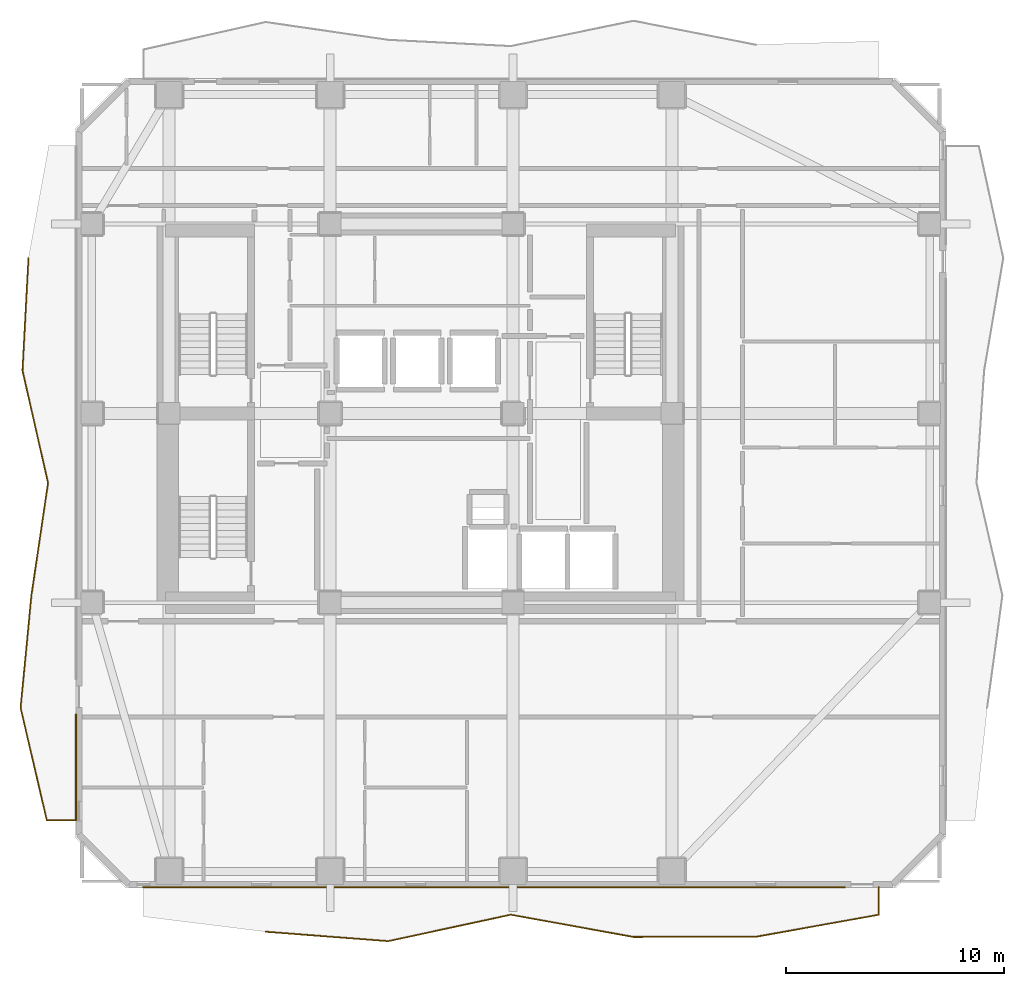
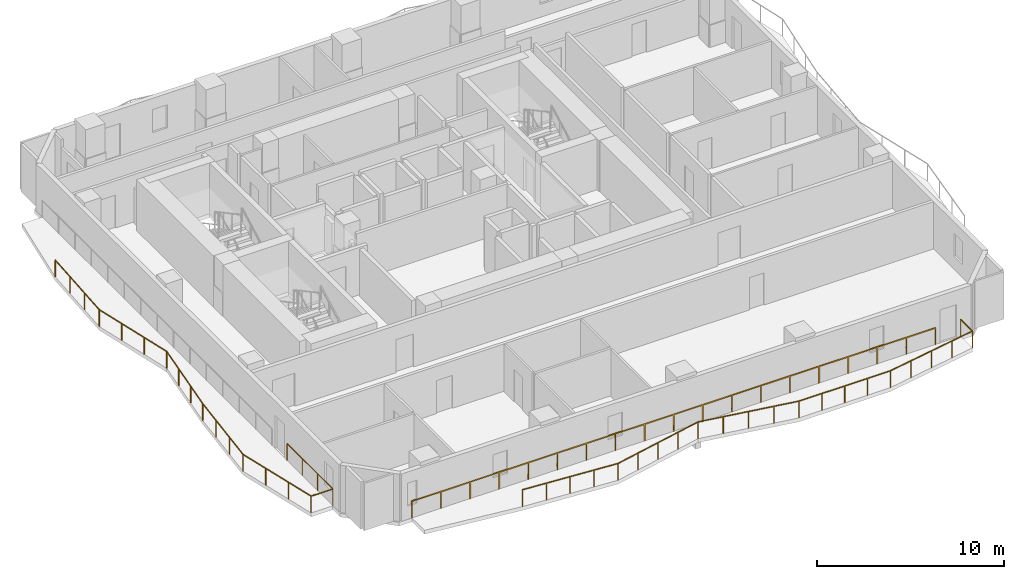
# One storey, part 7 of 9: 3 railings.
"""IFC4 building model written with IfcOpenShell, lengths in metres."""

from ifc_helpers import new_model, si_unit, direction, frame, origin, origin_2d, place, context, subcontext, project, spatial, rectangle, extrude, material, type_object, element, save


model = new_model("IFC4")

# Units and contexts
model_context = context("Model", 3, precision=1e-05, world=origin(), true_north=direction((0.0, 1.0)))
body_context = subcontext(model_context, "Body", "Model", "MODEL_VIEW")
ifc_project = project(units=[si_unit("LENGTHUNIT", "METRE"), si_unit("AREAUNIT", "SQUARE_METRE"), si_unit("VOLUMEUNIT", "CUBIC_METRE"), si_unit("PLANEANGLEUNIT", "RADIAN"), si_unit("MASSUNIT", "GRAM", prefix="KILO")], contexts=[model_context])

# Site, building, storey
site_placement = place(None, origin())
site = spatial("IfcSite", under=ifc_project, at=site_placement, CompositionType="ELEMENT")
building_placement = place(site_placement, origin())
building = spatial("IfcBuilding", under=site, at=building_placement, Name="Solanera Arch Residences", CompositionType="ELEMENT")
storey_placement = place(building_placement, frame((0.0, 0.0, 139.280029296875)))
storey = spatial("IfcBuildingStorey", under=building, at=storey_placement, Name="L40", CompositionType="ELEMENT", Elevation=139.280029296875)

# Railings
ifc_material = material(Name="Steel S355 (ASTM A992 / A572 Grade 50)", Category="steel")
railing_type = type_object("IfcRailingType", Name="Balustrade Railing BL-1100", PredefinedType="BALUSTRADE", material=ifc_material)
railing_1_placement = place(storey_placement, frame((17.8330078125, 6.876953125, 0.0)))
element("IfcRailing", 1, at=railing_1_placement, inside=storey, type_object=railing_type, Name="L40 S Balcony Balustrade 1", PredefinedType="BALUSTRADE", context=body_context, shape_type="SweptSolid", body=[
    extrude(rectangle(XDim=0.048095703125, YDim=0.048095703125, at=origin_2d()), frame((0.0, 0.0, 1.09619140625), z_axis=(0.997074782903, -0.076432174501, 0.0), x_axis=(0.076432174501, 0.997074782903, 0.0)), (0.0, 0.0, 1.0), 5.650634765625),
    extrude(rectangle(XDim=0.048095703125, YDim=0.048095703125, at=origin_2d()), frame((5.634033203125, -0.431884765625, 1.09619140625), z_axis=(0.977525666512, 0.210816439846, 0.0), x_axis=(-0.210816439846, 0.977525666512, 0.0)), (0.0, 0.0, 1.0), 5.762451171875),
    extrude(rectangle(XDim=0.048095703125, YDim=0.048095703125, at=origin_2d()), frame((11.26708984375, 0.782958984375, 1.09619140625), z_axis=(0.983936710844, -0.178517643533, 0.0), x_axis=(0.178517643533, 0.983936710844, 0.0)), (0.0, 0.0, 1.0), 5.724853515625),
    extrude(rectangle(XDim=0.048095703125, YDim=0.048095703125, at=origin_2d()), frame((16.89990234375, -0.239013671875, 1.09619140625), z_axis=(0.999998977558, 0.001429993771, 0.0), x_axis=(-0.001429993771, 0.999998977558, 0.0)), (0.0, 0.0, 1.0), 5.634033203125),
    extrude(rectangle(XDim=0.048095703125, YDim=0.048095703125, at=origin_2d()), frame((22.533935546875, -0.23095703125, 1.09619140625), z_axis=(0.984243807217, 0.17681665067, 0.0), x_axis=(-0.17681665067, 0.984243807217, 0.0)), (0.0, 0.0, 1.0), 5.72314453125),
    extrude(rectangle(XDim=0.048095703125, YDim=0.048095703125, at=origin_2d()), frame((28.1669921875, 0.781005859375, 1.09619140625), z_axis=(0.0, 1.0, 0.0), x_axis=(-1.0, 0.0, 0.0)), (0.0, 0.0, 1.0), 1.261962890625),
    extrude(rectangle(XDim=0.0419921875, YDim=0.0419921875, at=origin_2d()), origin(), (0.0, 0.0, 1.0), 1.072021484375),
    extrude(rectangle(XDim=0.0419921875, YDim=0.0419921875, at=origin_2d()), frame((1.408447265625, -0.10791015625, 0.0)), (0.0, 0.0, 1.0), 1.072021484375),
    extrude(rectangle(XDim=0.0419921875, YDim=0.0419921875, at=origin_2d()), frame((2.81689453125, -0.2158203125, 0.0)), (0.0, 0.0, 1.0), 1.072021484375),
    extrude(rectangle(XDim=0.0419921875, YDim=0.0419921875, at=origin_2d()), frame((4.2255859375, -0.323974609375, 0.0)), (0.0, 0.0, 1.0), 1.072021484375),
    extrude(rectangle(XDim=0.0419921875, YDim=0.0419921875, at=origin_2d()), frame((5.634033203125, -0.431884765625, 0.0)), (0.0, 0.0, 1.0), 1.072021484375),
    extrude(rectangle(XDim=0.0419921875, YDim=0.0419921875, at=origin_2d()), frame((7.042236328125, -0.128173828125, 0.0)), (0.0, 0.0, 1.0), 1.072021484375),
    extrude(rectangle(XDim=0.0419921875, YDim=0.0419921875, at=origin_2d()), frame((8.45068359375, 0.175537109375, 0.0)), (0.0, 0.0, 1.0), 1.072021484375),
    extrude(rectangle(XDim=0.0419921875, YDim=0.0419921875, at=origin_2d()), frame((9.85888671875, 0.479248046875, 0.0)), (0.0, 0.0, 1.0), 1.072021484375),
    extrude(rectangle(XDim=0.0419921875, YDim=0.0419921875, at=origin_2d()), frame((11.26708984375, 0.782958984375, 0.0)), (0.0, 0.0, 1.0), 1.072021484375),
    extrude(rectangle(XDim=0.0419921875, YDim=0.0419921875, at=origin_2d()), frame((12.67529296875, 0.52734375, 0.0)), (0.0, 0.0, 1.0), 1.072021484375),
    extrude(rectangle(XDim=0.0419921875, YDim=0.0419921875, at=origin_2d()), frame((14.08349609375, 0.27197265625, 0.0)), (0.0, 0.0, 1.0), 1.072021484375),
    extrude(rectangle(XDim=0.0419921875, YDim=0.0419921875, at=origin_2d()), frame((15.49169921875, 0.0166015625, 0.0)), (0.0, 0.0, 1.0), 1.072021484375),
    extrude(rectangle(XDim=0.0419921875, YDim=0.0419921875, at=origin_2d()), frame((16.89990234375, -0.239013671875, 0.0)), (0.0, 0.0, 1.0), 1.072021484375),
    extrude(rectangle(XDim=0.0419921875, YDim=0.0419921875, at=origin_2d()), frame((18.308349609375, -0.237060546875, 0.0)), (0.0, 0.0, 1.0), 1.072021484375),
    extrude(rectangle(XDim=0.0419921875, YDim=0.0419921875, at=origin_2d()), frame((19.716796875, -0.23486328125, 0.0)), (0.0, 0.0, 1.0), 1.072021484375),
    extrude(rectangle(XDim=0.0419921875, YDim=0.0419921875, at=origin_2d()), frame((21.12548828125, -0.23291015625, 0.0)), (0.0, 0.0, 1.0), 1.072021484375),
    extrude(rectangle(XDim=0.0419921875, YDim=0.0419921875, at=origin_2d()), frame((22.533935546875, -0.23095703125, 0.0)), (0.0, 0.0, 1.0), 1.072021484375),
    extrude(rectangle(XDim=0.0419921875, YDim=0.0419921875, at=origin_2d()), frame((23.942138671875, 0.02197265625, 0.0)), (0.0, 0.0, 1.0), 1.072021484375),
    extrude(rectangle(XDim=0.0419921875, YDim=0.0419921875, at=origin_2d()), frame((25.3505859375, 0.27490234375, 0.0)), (0.0, 0.0, 1.0), 1.072021484375),
    extrude(rectangle(XDim=0.0419921875, YDim=0.0419921875, at=origin_2d()), frame((26.7587890625, 0.528076171875, 0.0)), (0.0, 0.0, 1.0), 1.072021484375),
    extrude(rectangle(XDim=0.0419921875, YDim=0.0419921875, at=origin_2d()), frame((28.1669921875, 0.781005859375, 0.0)), (0.0, 0.0, 1.0), 1.072021484375),
    extrude(rectangle(XDim=0.0419921875, YDim=0.0419921875, at=origin_2d()), frame((28.1669921875, 2.04296875, 0.0)), (0.0, 0.0, 1.0), 1.072021484375),
])
railing_2_placement = place(storey_placement, frame((44.44091796875, 8.919921875, 0.0)))
element("IfcRailing", 2, at=railing_2_placement, inside=storey, type_object=railing_type, Name="L40 S Balcony Balustrade 2", PredefinedType="BALUSTRADE", context=body_context, shape_type="SweptSolid", body=[
    extrude(rectangle(XDim=0.048095703125, YDim=0.048095703125, at=origin_2d()), frame((0.0, 0.0, 1.09619140625), z_axis=(-1.0, 0.0, 0.0), x_axis=(0.0, -1.0, 0.0)), (0.0, 0.0, 1.0), 32.240966796875),
    extrude(rectangle(XDim=0.0419921875, YDim=0.0419921875, at=origin_2d()), origin(), (0.0, 0.0, 1.0), 1.072021484375),
    extrude(rectangle(XDim=0.0419921875, YDim=0.0419921875, at=origin_2d()), frame((-1.791259765625, 0.0, 0.0)), (0.0, 0.0, 1.0), 1.072021484375),
    extrude(rectangle(XDim=0.0419921875, YDim=0.0419921875, at=origin_2d()), frame((-3.582275390625, 0.0, 0.0)), (0.0, 0.0, 1.0), 1.072021484375),
    extrude(rectangle(XDim=0.0419921875, YDim=0.0419921875, at=origin_2d()), frame((-5.37353515625, 0.0, 0.0)), (0.0, 0.0, 1.0), 1.072021484375),
    extrude(rectangle(XDim=0.0419921875, YDim=0.0419921875, at=origin_2d()), frame((-7.16455078125, 0.0, 0.0)), (0.0, 0.0, 1.0), 1.072021484375),
    extrude(rectangle(XDim=0.0419921875, YDim=0.0419921875, at=origin_2d()), frame((-8.955810546875, 0.0, 0.0)), (0.0, 0.0, 1.0), 1.072021484375),
    extrude(rectangle(XDim=0.0419921875, YDim=0.0419921875, at=origin_2d()), frame((-10.7470703125, 0.0, 0.0)), (0.0, 0.0, 1.0), 1.072021484375),
    extrude(rectangle(XDim=0.0419921875, YDim=0.0419921875, at=origin_2d()), frame((-12.5380859375, 0.0, 0.0)), (0.0, 0.0, 1.0), 1.072021484375),
    extrude(rectangle(XDim=0.0419921875, YDim=0.0419921875, at=origin_2d()), frame((-14.329345703125, 0.0, 0.0)), (0.0, 0.0, 1.0), 1.072021484375),
    extrude(rectangle(XDim=0.0419921875, YDim=0.0419921875, at=origin_2d()), frame((-16.12060546875, 0.0, 0.0)), (0.0, 0.0, 1.0), 1.072021484375),
    extrude(rectangle(XDim=0.0419921875, YDim=0.0419921875, at=origin_2d()), frame((-17.91162109375, 0.0, 0.0)), (0.0, 0.0, 1.0), 1.072021484375),
    extrude(rectangle(XDim=0.0419921875, YDim=0.0419921875, at=origin_2d()), frame((-19.702880859375, 0.0, 0.0)), (0.0, 0.0, 1.0), 1.072021484375),
    extrude(rectangle(XDim=0.0419921875, YDim=0.0419921875, at=origin_2d()), frame((-21.493896484375, 0.0, 0.0)), (0.0, 0.0, 1.0), 1.072021484375),
    extrude(rectangle(XDim=0.0419921875, YDim=0.0419921875, at=origin_2d()), frame((-23.28515625, 0.0, 0.0)), (0.0, 0.0, 1.0), 1.072021484375),
    extrude(rectangle(XDim=0.0419921875, YDim=0.0419921875, at=origin_2d()), frame((-25.076416015625, 0.0, 0.0)), (0.0, 0.0, 1.0), 1.072021484375),
    extrude(rectangle(XDim=0.0419921875, YDim=0.0419921875, at=origin_2d()), frame((-26.867431640625, 0.0, 0.0)), (0.0, 0.0, 1.0), 1.072021484375),
    extrude(rectangle(XDim=0.0419921875, YDim=0.0419921875, at=origin_2d()), frame((-28.65869140625, 0.0, 0.0)), (0.0, 0.0, 1.0), 1.072021484375),
    extrude(rectangle(XDim=0.0419921875, YDim=0.0419921875, at=origin_2d()), frame((-30.44970703125, 0.0, 0.0)), (0.0, 0.0, 1.0), 1.072021484375),
    extrude(rectangle(XDim=0.0419921875, YDim=0.0419921875, at=origin_2d()), frame((-32.240966796875, 0.0, 0.0)), (0.0, 0.0, 1.0), 1.072021484375),
])
railing_3_placement = place(storey_placement, frame((6.931884765625, 37.8330078125, 0.0)))
element("IfcRailing", 3, at=railing_3_placement, inside=storey, type_object=railing_type, Name="L40 W Balcony Balustrade 1", PredefinedType="BALUSTRADE", context=body_context, shape_type="SweptSolid", body=[
    extrude(rectangle(XDim=0.048095703125, YDim=0.048095703125, at=origin_2d()), frame((0.0, 0.0, 1.09619140625), z_axis=(-0.052950189396, -0.998597154734, 0.0), x_axis=(0.998597154734, -0.052950189396, 0.0)), (0.0, 0.0, 1.0), 5.17333984375),
    extrude(rectangle(XDim=0.048095703125, YDim=0.048095703125, at=origin_2d()), frame((-0.27392578125, -5.166015625, 1.09619140625), z_axis=(0.221577290864, -0.975142812194, 0.0), x_axis=(0.975142812194, 0.221577290864, 0.0)), (0.0, 0.0, 1.0), 5.298583984375),
    extrude(rectangle(XDim=0.048095703125, YDim=0.048095703125, at=origin_2d()), frame((0.900146484375, -10.3330078125, 1.09619140625), z_axis=(-0.146484290833, -0.989212996548, 0.0), x_axis=(0.989212996548, -0.146484290833, 0.0)), (0.0, 0.0, 1.0), 5.223388671875),
    extrude(rectangle(XDim=0.048095703125, YDim=0.048095703125, at=origin_2d()), frame((0.135009765625, -15.5, 1.09619140625), z_axis=(-0.095730333932, -0.99540730516, 0.0), x_axis=(0.99540730516, -0.095730333932, 0.0)), (0.0, 0.0, 1.0), 5.18994140625),
    extrude(rectangle(XDim=0.048095703125, YDim=0.048095703125, at=origin_2d()), frame((-0.36181640625, -20.666015625, 1.09619140625), z_axis=(0.227087056895, -0.973874462439, 0.0), x_axis=(0.973874462439, 0.227087056895, 0.0)), (0.0, 0.0, 1.0), 5.3056640625),
    extrude(rectangle(XDim=0.048095703125, YDim=0.048095703125, at=origin_2d()), frame((0.843017578125, -25.8330078125, 1.09619140625), z_axis=(1.0, 0.0, 0.0), x_axis=(0.0, 1.0, 0.0)), (0.0, 0.0, 1.0), 1.34521484375),
    extrude(rectangle(XDim=0.048095703125, YDim=0.048095703125, at=origin_2d()), frame((2.188232421875, -25.8330078125, 1.09619140625), z_axis=(0.0, 1.0, 0.0), x_axis=(-1.0, 0.0, 0.0)), (0.0, 0.0, 1.0), 4.873046875),
    extrude(rectangle(XDim=0.0419921875, YDim=0.0419921875, at=origin_2d()), origin(), (0.0, 0.0, 1.0), 1.072021484375),
    extrude(rectangle(XDim=0.0419921875, YDim=0.0419921875, at=origin_2d()), frame((-0.09130859375, -1.721923828125, 0.0)), (0.0, 0.0, 1.0), 1.072021484375),
    extrude(rectangle(XDim=0.0419921875, YDim=0.0419921875, at=origin_2d()), frame((-0.1826171875, -3.444091796875, 0.0)), (0.0, 0.0, 1.0), 1.072021484375),
    extrude(rectangle(XDim=0.0419921875, YDim=0.0419921875, at=origin_2d()), frame((-0.27392578125, -5.166015625, 0.0)), (0.0, 0.0, 1.0), 1.072021484375),
    extrude(rectangle(XDim=0.0419921875, YDim=0.0419921875, at=origin_2d()), frame((0.117431640625, -6.888427734375, 0.0)), (0.0, 0.0, 1.0), 1.072021484375),
    extrude(rectangle(XDim=0.0419921875, YDim=0.0419921875, at=origin_2d()), frame((0.5087890625, -8.610595703125, 0.0)), (0.0, 0.0, 1.0), 1.072021484375),
    extrude(rectangle(XDim=0.0419921875, YDim=0.0419921875, at=origin_2d()), frame((0.900146484375, -10.3330078125, 0.0)), (0.0, 0.0, 1.0), 1.072021484375),
    extrude(rectangle(XDim=0.0419921875, YDim=0.0419921875, at=origin_2d()), frame((0.64501953125, -12.055419921875, 0.0)), (0.0, 0.0, 1.0), 1.072021484375),
    extrude(rectangle(XDim=0.0419921875, YDim=0.0419921875, at=origin_2d()), frame((0.39013671875, -13.777587890625, 0.0)), (0.0, 0.0, 1.0), 1.072021484375),
    extrude(rectangle(XDim=0.0419921875, YDim=0.0419921875, at=origin_2d()), frame((0.135009765625, -15.5, 0.0)), (0.0, 0.0, 1.0), 1.072021484375),
    extrude(rectangle(XDim=0.0419921875, YDim=0.0419921875, at=origin_2d()), frame((-0.030517578125, -17.221923828125, 0.0)), (0.0, 0.0, 1.0), 1.072021484375),
    extrude(rectangle(XDim=0.0419921875, YDim=0.0419921875, at=origin_2d()), frame((-0.1962890625, -18.944091796875, 0.0)), (0.0, 0.0, 1.0), 1.072021484375),
    extrude(rectangle(XDim=0.0419921875, YDim=0.0419921875, at=origin_2d()), frame((-0.36181640625, -20.666015625, 0.0)), (0.0, 0.0, 1.0), 1.072021484375),
    extrude(rectangle(XDim=0.0419921875, YDim=0.0419921875, at=origin_2d()), frame((0.039794921875, -22.388427734375, 0.0)), (0.0, 0.0, 1.0), 1.072021484375),
    extrude(rectangle(XDim=0.0419921875, YDim=0.0419921875, at=origin_2d()), frame((0.44140625, -24.110595703125, 0.0)), (0.0, 0.0, 1.0), 1.072021484375),
    extrude(rectangle(XDim=0.0419921875, YDim=0.0419921875, at=origin_2d()), frame((0.843017578125, -25.8330078125, 0.0)), (0.0, 0.0, 1.0), 1.072021484375),
    extrude(rectangle(XDim=0.0419921875, YDim=0.0419921875, at=origin_2d()), frame((2.188232421875, -25.8330078125, 0.0)), (0.0, 0.0, 1.0), 1.072021484375),
    extrude(rectangle(XDim=0.0419921875, YDim=0.0419921875, at=origin_2d()), frame((2.188232421875, -24.208740234375, 0.0)), (0.0, 0.0, 1.0), 1.072021484375),
    extrude(rectangle(XDim=0.0419921875, YDim=0.0419921875, at=origin_2d()), frame((2.188232421875, -22.584228515625, 0.0)), (0.0, 0.0, 1.0), 1.072021484375),
    extrude(rectangle(XDim=0.0419921875, YDim=0.0419921875, at=origin_2d()), frame((2.188232421875, -20.9599609375, 0.0)), (0.0, 0.0, 1.0), 1.072021484375),
])

save(model, "model.ifc")
